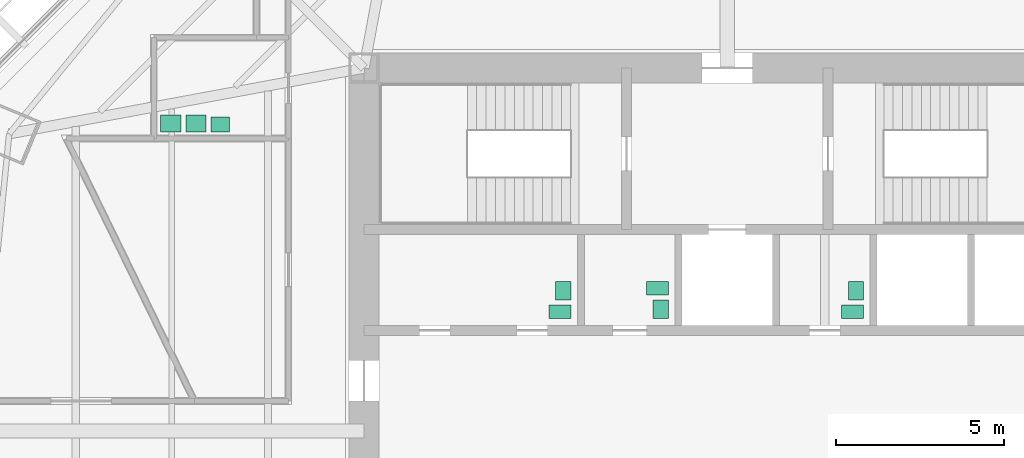
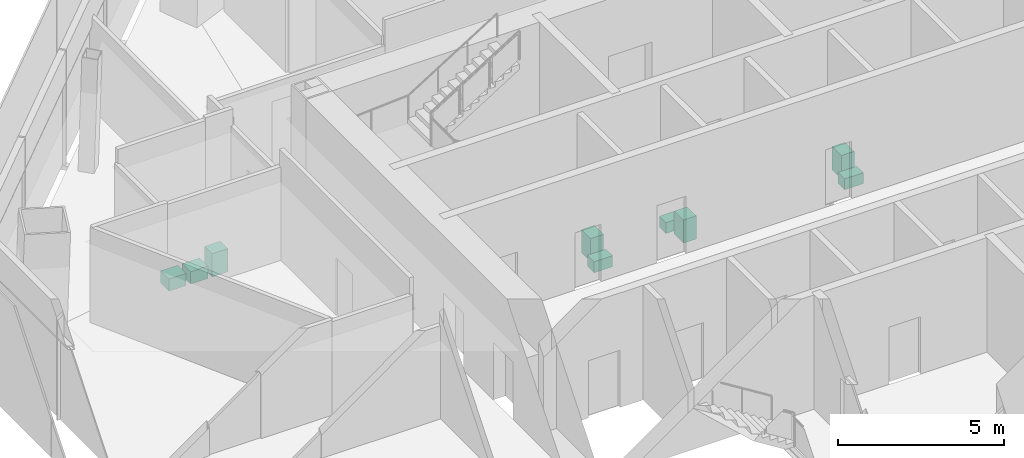
# One storey, part 15 of 15: 9 sanitary terminals.
"""IFC4 building model written with IfcOpenShell, lengths in metres."""

from ifc_helpers import new_model, si_unit, direction, frame, origin, origin_2d, place, context, subcontext, project, spatial, rectangle, extrude, material, type_object, element, save


model = new_model("IFC4")

# Units and contexts
model_context = context("Model", 3, precision=1e-05, world=origin(), true_north=direction((0.0, 1.0)))
body_context = subcontext(model_context, "Body", "Model", "MODEL_VIEW")
ifc_project = project(units=[si_unit("LENGTHUNIT", "METRE"), si_unit("AREAUNIT", "SQUARE_METRE"), si_unit("VOLUMEUNIT", "CUBIC_METRE"), si_unit("PLANEANGLEUNIT", "RADIAN"), si_unit("MASSUNIT", "GRAM", prefix="KILO")], contexts=[model_context])

# Site, building, storey
site_placement = place(None, origin())
site = spatial("IfcSite", under=ifc_project, at=site_placement, CompositionType="ELEMENT")
building_placement = place(site_placement, origin())
building = spatial("IfcBuilding", under=site, at=building_placement, Name="Mashrafa Tower", CompositionType="ELEMENT")
storey_placement = place(building_placement, frame((0.0, 0.0, 176.39990234375)))
storey = spatial("IfcBuildingStorey", under=building, at=storey_placement, Name="L40", CompositionType="ELEMENT", Elevation=176.39990234375)

# Sanitary terminals
ifc_material_1 = material(Name="Stainless steel", Category="steel")
sanitary_terminal_type_1 = type_object("IfcSanitaryTerminalType", Name="Ablution wash station 600 x 500", PredefinedType="WASHHANDBASIN", material=ifc_material_1)
for number, where, z_axis, x_axis, name in (
    (1, (-16.550048828125, 9.14990234375, 0.0), (0.0, 0.0, 1.0), (1.0, 0.0, 0.0), "Ablution wash station Ablution Room L40"),
    (2, (-15.800048828125, 9.14990234375, 0.0), (0.0, 0.0, 1.0), (1.0, 0.0, 0.0), "Ablution wash station Ablution Room L40"),
):
    element("IfcSanitaryTerminal", number, at=place(storey_placement, frame(where, z_axis=z_axis, x_axis=x_axis)), inside=storey, type_object=sanitary_terminal_type_1, Name=name, PredefinedType="WASHHANDBASIN", context=body_context, shape_type="SweptSolid", body=[
        extrude(rectangle(XDim=0.60009765625, YDim=0.5, at=origin_2d()), origin(), (0.0, 0.0, 1.0), 0.449951171875),
    ])
ifc_material_2 = material(Name="Vitreous china")
sanitary_terminal_type_2 = type_object("IfcSanitaryTerminalType", Name="Toilet pan 400 x 650", PredefinedType="TOILETPAN", material=ifc_material_2)
for number, where, z_axis, x_axis, name in (
    (3, (-4.97509765625, 3.550048828125, 0.000244140625), (0.0, 0.0, 1.0), (0.0, 1.0, 0.0), "Toilet pan WC Female L40"),
    (4, (-2.074951171875, 4.25, 0.000244140625), (0.0, 0.0, 1.0), (0.0, 1.0, 0.0), "Toilet pan Accessible WC L40"),
    (5, (3.72509765625, 3.550048828125, 0.000244140625), (0.0, 0.0, 1.0), (0.0, 1.0, 0.0), "Toilet pan WC Male L40"),
):
    element("IfcSanitaryTerminal", number, at=place(storey_placement, frame(where, z_axis=z_axis, x_axis=x_axis)), inside=storey, type_object=sanitary_terminal_type_2, Name=name, PredefinedType="TOILETPAN", context=body_context, shape_type="SweptSolid", body=[
        extrude(rectangle(XDim=0.39990234375, YDim=0.64990234375, at=origin_2d()), origin(), (0.0, 0.0, 1.0), 0.39990234375),
    ])
ifc_material_3 = material(Name="Vitreous china")
sanitary_terminal_type_3 = type_object("IfcSanitaryTerminalType", Name="Wash basin 550 x 450", PredefinedType="WASHHANDBASIN", material=ifc_material_3)
for number, where, z_axis, x_axis, name in (
    (6, (-4.875, 4.175048828125, 0.0), (0.0, 0.0, 1.0), (0.0, 1.0, 0.0), "Wash basin WC Female L40"),
    (7, (-1.97509765625, 3.625, 0.0), (0.0, 0.0, 1.0), (0.0, 1.0, 0.0), "Wash basin Accessible WC L40"),
    (8, (3.824951171875, 4.175048828125, 0.0), (0.0, 0.0, 1.0), (0.0, 1.0, 0.0), "Wash basin WC Male L40"),
    (9, (-15.074951171875, 9.125, 0.0), (0.0, 0.0, 1.0), (1.0, 0.0, 0.0), "Wash basin Ablution Room L40"),
):
    element("IfcSanitaryTerminal", number, at=place(storey_placement, frame(where, z_axis=z_axis, x_axis=x_axis)), inside=storey, type_object=sanitary_terminal_type_3, Name=name, PredefinedType="WASHHANDBASIN", context=body_context, shape_type="SweptSolid", body=[
        extrude(rectangle(XDim=0.550048828125, YDim=0.449951171875, at=origin_2d()), origin(), (0.0, 0.0, 1.0), 0.85009765625),
    ])

save(model, "model.ifc")
